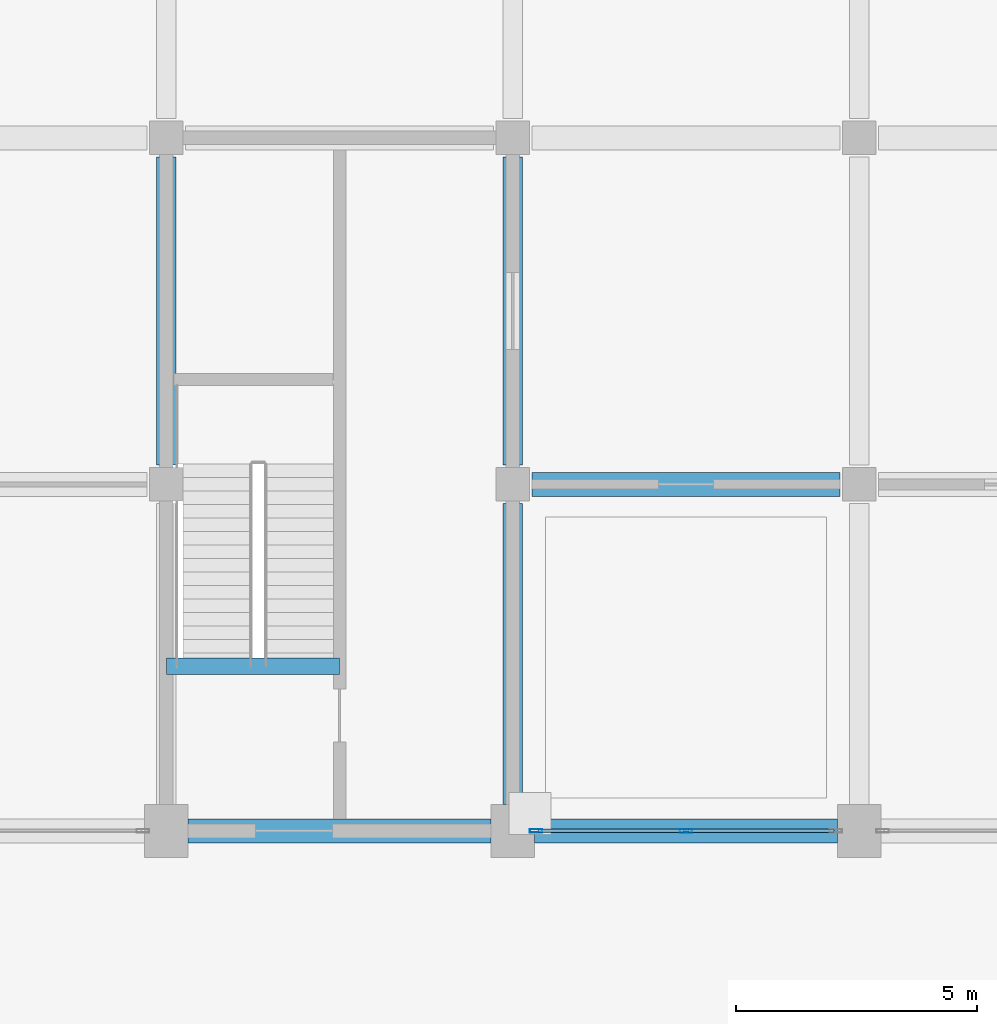
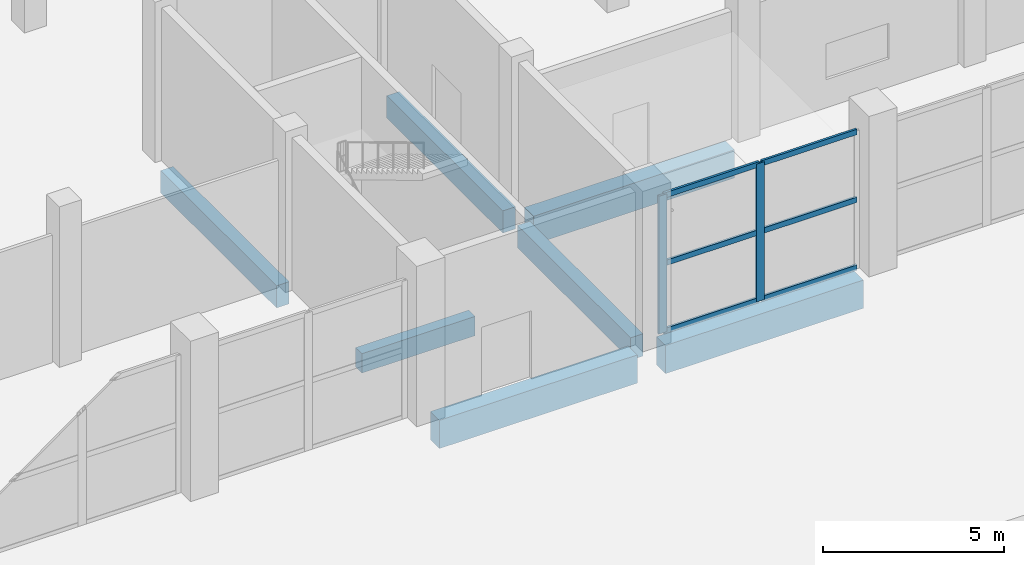
# One storey, part 8 of 70: 8 members, 7 beams, 1 element without a shape of its own.
"""IFC4 building model written with IfcOpenShell, lengths in metres."""

from ifc_helpers import new_model, si_unit, direction, frame, origin, origin_2d, place, context, subcontext, project, spatial, rectangle, hollow_rectangle, extrude, material, material_profile, profile_set, type_object, element, aggregate, save


model = new_model("IFC4")

# Units and contexts
model_context = context("Model", 3, precision=1e-05, world=origin(), true_north=direction((0.0, 1.0)))
body_context = subcontext(model_context, "Body", "Model", "MODEL_VIEW")
ifc_project = project(units=[si_unit("LENGTHUNIT", "METRE"), si_unit("AREAUNIT", "SQUARE_METRE"), si_unit("VOLUMEUNIT", "CUBIC_METRE"), si_unit("PLANEANGLEUNIT", "RADIAN"), si_unit("MASSUNIT", "GRAM", prefix="KILO")], contexts=[model_context])

# Site, building, storey
site_placement = place(None, origin())
site = spatial("IfcSite", under=ifc_project, at=site_placement, CompositionType="ELEMENT")
building_placement = place(site_placement, origin())
building = spatial("IfcBuilding", under=site, at=building_placement, Name="Vesperath Aquatics Centre", CompositionType="ELEMENT")
storey_placement = place(building_placement, origin())
storey = spatial("IfcBuildingStorey", under=building, at=storey_placement, Name="L00", CompositionType="ELEMENT", Elevation=0.0)

# Beams
ifc_material_1 = material(Name="Concrete C40", Category="concrete")
ifc_material_profile_1 = material_profile(ifc_material_1, rectangle(XDim=0.5, YDim=0.949951171875, at=origin_2d()), Name="RC 500x950")
ifc_profile_set_1 = profile_set([ifc_material_profile_1], Name="Concrete C40")
beam_type_1 = type_object("IfcBeamType", Name="BM-G02", PredefinedType="BEAM", material=ifc_profile_set_1)
beam_1_placement = place(storey_placement, frame((50.85009765625, 14.39990234375, -0.7548828125), z_axis=(1.0, 0.0, 0.0), x_axis=(0.0, 1.0, 0.0)))
element("IfcBeam", 1, at=beam_1_placement, inside=storey, type_object=beam_type_1, Name="Floor Girder B02 L00 C 8-9", PredefinedType="BEAM", context=body_context, shape_type="SweptSolid", body=[
    extrude(rectangle(XDim=0.5, YDim=0.949951171875, at=origin_2d()), origin(), (0.0, 0.0, 1.0), 6.2998046875),
])
beam_2_placement = place(storey_placement, frame((58.050048828125, 14.39990234375, -0.7548828125), z_axis=(1.0, 0.0, 0.0), x_axis=(0.0, 1.0, 0.0)))
element("IfcBeam", 2, at=beam_2_placement, inside=storey, type_object=beam_type_1, Name="Floor Girder B02 L00 C 9-10", PredefinedType="BEAM", context=body_context, shape_type="SweptSolid", body=[
    extrude(rectangle(XDim=0.5, YDim=0.949951171875, at=origin_2d()), origin(), (0.0, 0.0, 1.0), 6.300048828125),
])
beam_3_placement = place(storey_placement, frame((58.0, 21.60009765625, -0.7548828125), z_axis=(1.0, 0.0, 0.0), x_axis=(0.0, 1.0, 0.0)))
element("IfcBeam", 3, at=beam_3_placement, inside=storey, type_object=beam_type_1, Name="Floor Girder B02 L00 D 9-10", PredefinedType="BEAM", context=body_context, shape_type="SweptSolid", body=[
    extrude(rectangle(XDim=0.5, YDim=0.949951171875, at=origin_2d()), origin(), (0.0, 0.0, 1.0), 6.39990234375),
])
ifc_material_2 = material(Name="Concrete C35", Category="concrete")
ifc_material_profile_2 = material_profile(ifc_material_2, rectangle(XDim=0.39990234375, YDim=0.75, at=origin_2d()), Name="RC 400x750")
ifc_profile_set_2 = profile_set([ifc_material_profile_2], Name="Concrete C35")
beam_type_2 = type_object("IfcBeamType", Name="BM-G04", PredefinedType="BEAM", material=ifc_profile_set_2)
beam_4_placement = place(storey_placement, frame((50.39990234375, 22.0, -0.655029296875), z_axis=(0.0, 1.0, 0.0), x_axis=(-1.0, 0.0, 0.0)))
element("IfcBeam", 4, at=beam_4_placement, inside=storey, type_object=beam_type_2, Name="Floor Girder B04 L00 8 D-E", PredefinedType="BEAM", context=body_context, shape_type="SweptSolid", body=[
    extrude(rectangle(XDim=0.39990234375, YDim=0.75, at=origin_2d()), origin(), (0.0, 0.0, 1.0), 6.39990234375),
])
beam_5_placement = place(storey_placement, frame((57.60009765625, 14.949951171875, -0.655029296875), z_axis=(0.0, 1.0, 0.0), x_axis=(-1.0, 0.0, 0.0)))
element("IfcBeam", 5, at=beam_5_placement, inside=storey, type_object=beam_type_2, Name="Floor Girder B04 L00 9 C-D", PredefinedType="BEAM", context=body_context, shape_type="SweptSolid", body=[
    extrude(rectangle(XDim=0.39990234375, YDim=0.75, at=origin_2d()), origin(), (0.0, 0.0, 1.0), 6.25),
])
beam_6_placement = place(storey_placement, frame((57.60009765625, 22.0, -0.655029296875), z_axis=(0.0, 1.0, 0.0), x_axis=(-1.0, 0.0, 0.0)))
element("IfcBeam", 6, at=beam_6_placement, inside=storey, type_object=beam_type_2, Name="Floor Girder B04 L00 9 D-E", PredefinedType="BEAM", context=body_context, shape_type="SweptSolid", body=[
    extrude(rectangle(XDim=0.39990234375, YDim=0.75, at=origin_2d()), origin(), (0.0, 0.0, 1.0), 6.39990234375),
])
ifc_material_profile_3 = material_profile(ifc_material_2, rectangle(XDim=0.35009765625, YDim=0.64990234375, at=origin_2d()), Name="RC 350x650")
ifc_profile_set_3 = profile_set([ifc_material_profile_3], Name="Concrete C35")
beam_type_3 = type_object("IfcBeamType", Name="BM-G05", PredefinedType="BEAM", material=ifc_profile_set_3)
beam_7_placement = place(storey_placement, frame((50.39990234375, 17.820068359375, -0.324951171875), z_axis=(1.0, 0.0, 0.0), x_axis=(0.0, 1.0, 0.0)))
element("IfcBeam", 7, at=beam_7_placement, inside=storey, type_object=beam_type_3, Name="Stair ST9 Landing Trimmer Beam B05 L00", PredefinedType="BEAM", context=body_context, shape_type="SweptSolid", body=[
    extrude(rectangle(XDim=0.35009765625, YDim=0.64990234375, at=origin_2d()), origin(), (0.0, 0.0, 1.0), 3.60009765625),
])

# Curtain wall, members
ifc_material_3 = material(Name="Thermally broken anodised bronze aluminium curtain wall", Category="aluminium")
curtain_wall_type = type_object("IfcCurtainWallType", Name="CW-01", PredefinedType="NOTDEFINED", material=ifc_material_3)
curtain_wall_placement = place(storey_placement, origin())
curtain_wall = element("IfcCurtainWall", 8, at=curtain_wall_placement, inside=storey, type_object=curtain_wall_type, Name="Facade Curtain Wall CW01 L00_S_08_02", PredefinedType="NOTDEFINED")
ifc_material_4 = material(Name="Thermally broken anodised aluminium", Category="aluminium")
ifc_material_profile_4 = material_profile(ifc_material_4, hollow_rectangle(XDim=0.074951171875, YDim=0.260009765625, WallThickness=0.006103515625, at=origin_2d()), Name="CWM 75x260x6")
ifc_profile_set_4 = profile_set([ifc_material_profile_4], Name="Thermally broken anodised aluminium")
member_type_1 = type_object("IfcMemberType", Name="MB-CWM1", PredefinedType="MULLION", material=ifc_profile_set_4)
member_1_placement = place(storey_placement, frame((58.08740234375, 14.39990234375, 0.0), z_axis=(0.0, 0.0, 1.0), x_axis=(0.0, 1.0, 0.0)))
member_1 = element("IfcMember", 9, at=member_1_placement, type_object=member_type_1, Name="CW01 mullion 1", PredefinedType="MULLION", context=body_context, shape_type="SweptSolid", body=[
    extrude(hollow_rectangle(XDim=0.074951171875, YDim=0.260009765625, WallThickness=0.006103515625, at=origin_2d()), origin(), (0.0, 0.0, 1.0), 4.639892578125),
])
member_2_placement = place(storey_placement, frame((61.199951171875, 14.39990234375, 0.0), z_axis=(0.0, 0.0, 1.0), x_axis=(0.0, 1.0, 0.0)))
member_2 = element("IfcMember", 10, at=member_2_placement, type_object=member_type_1, Name="CW01 mullion 2", PredefinedType="MULLION", context=body_context, shape_type="SweptSolid", body=[
    extrude(hollow_rectangle(XDim=0.074951171875, YDim=0.260009765625, WallThickness=0.006103515625, at=origin_2d()), origin(), (0.0, 0.0, 1.0), 4.639892578125),
])
ifc_material_profile_5 = material_profile(ifc_material_4, hollow_rectangle(XDim=0.074951171875, YDim=0.179931640625, WallThickness=0.0048828125, at=origin_2d()), Name="CWT 75x180x5")
ifc_profile_set_5 = profile_set([ifc_material_profile_5], Name="Thermally broken anodised aluminium")
member_type_2 = type_object("IfcMemberType", Name="MB-CWT1", PredefinedType="USERDEFINED", material=ifc_profile_set_5)
member_3_placement = place(storey_placement, frame((58.125, 14.39990234375, 0.03759765625), z_axis=(1.0, 0.0, 0.0), x_axis=(0.0, 1.0, 0.0)))
member_3 = element("IfcMember", 11, at=member_3_placement, type_object=member_type_2, Name="CW01 transom 1.1", ObjectType="TRANSOM", PredefinedType="USERDEFINED", context=body_context, shape_type="SweptSolid", body=[
    extrude(hollow_rectangle(XDim=0.074951171875, YDim=0.179931640625, WallThickness=0.0048828125, at=origin_2d()), origin(), (0.0, 0.0, 1.0), 3.03759765625),
])
member_4_placement = place(storey_placement, frame((58.125, 14.39990234375, 2.320068359375), z_axis=(1.0, 0.0, 0.0), x_axis=(0.0, 1.0, 0.0)))
member_4 = element("IfcMember", 12, at=member_4_placement, type_object=member_type_2, Name="CW01 transom 1.2", ObjectType="TRANSOM", PredefinedType="USERDEFINED", context=body_context, shape_type="SweptSolid", body=[
    extrude(hollow_rectangle(XDim=0.074951171875, YDim=0.179931640625, WallThickness=0.0048828125, at=origin_2d()), origin(), (0.0, 0.0, 1.0), 3.03759765625),
])
member_5_placement = place(storey_placement, frame((58.125, 14.39990234375, 4.6025390625), z_axis=(1.0, 0.0, 0.0), x_axis=(0.0, 1.0, 0.0)))
member_5 = element("IfcMember", 13, at=member_5_placement, type_object=member_type_2, Name="CW01 transom 1.3", ObjectType="TRANSOM", PredefinedType="USERDEFINED", context=body_context, shape_type="SweptSolid", body=[
    extrude(hollow_rectangle(XDim=0.074951171875, YDim=0.179931640625, WallThickness=0.0048828125, at=origin_2d()), origin(), (0.0, 0.0, 1.0), 3.03759765625),
])
member_6_placement = place(storey_placement, frame((61.237548828125, 14.39990234375, 0.03759765625), z_axis=(1.0, 0.0, 0.0), x_axis=(0.0, 1.0, 0.0)))
member_6 = element("IfcMember", 14, at=member_6_placement, type_object=member_type_2, Name="CW01 transom 2.1", ObjectType="TRANSOM", PredefinedType="USERDEFINED", context=body_context, shape_type="SweptSolid", body=[
    extrude(hollow_rectangle(XDim=0.074951171875, YDim=0.179931640625, WallThickness=0.0048828125, at=origin_2d()), origin(), (0.0, 0.0, 1.0), 3.037353515625),
])
member_7_placement = place(storey_placement, frame((61.237548828125, 14.39990234375, 2.320068359375), z_axis=(1.0, 0.0, 0.0), x_axis=(0.0, 1.0, 0.0)))
member_7 = element("IfcMember", 15, at=member_7_placement, type_object=member_type_2, Name="CW01 transom 2.2", ObjectType="TRANSOM", PredefinedType="USERDEFINED", context=body_context, shape_type="SweptSolid", body=[
    extrude(hollow_rectangle(XDim=0.074951171875, YDim=0.179931640625, WallThickness=0.0048828125, at=origin_2d()), origin(), (0.0, 0.0, 1.0), 3.037353515625),
])
member_8_placement = place(storey_placement, frame((61.237548828125, 14.39990234375, 4.6025390625), z_axis=(1.0, 0.0, 0.0), x_axis=(0.0, 1.0, 0.0)))
member_8 = element("IfcMember", 16, at=member_8_placement, type_object=member_type_2, Name="CW01 transom 2.3", ObjectType="TRANSOM", PredefinedType="USERDEFINED", context=body_context, shape_type="SweptSolid", body=[
    extrude(hollow_rectangle(XDim=0.074951171875, YDim=0.179931640625, WallThickness=0.0048828125, at=origin_2d()), origin(), (0.0, 0.0, 1.0), 3.037353515625),
])
aggregate(curtain_wall, [member_1, member_2, member_3, member_4, member_5, member_6, member_7, member_8])

save(model, "model.ifc")
